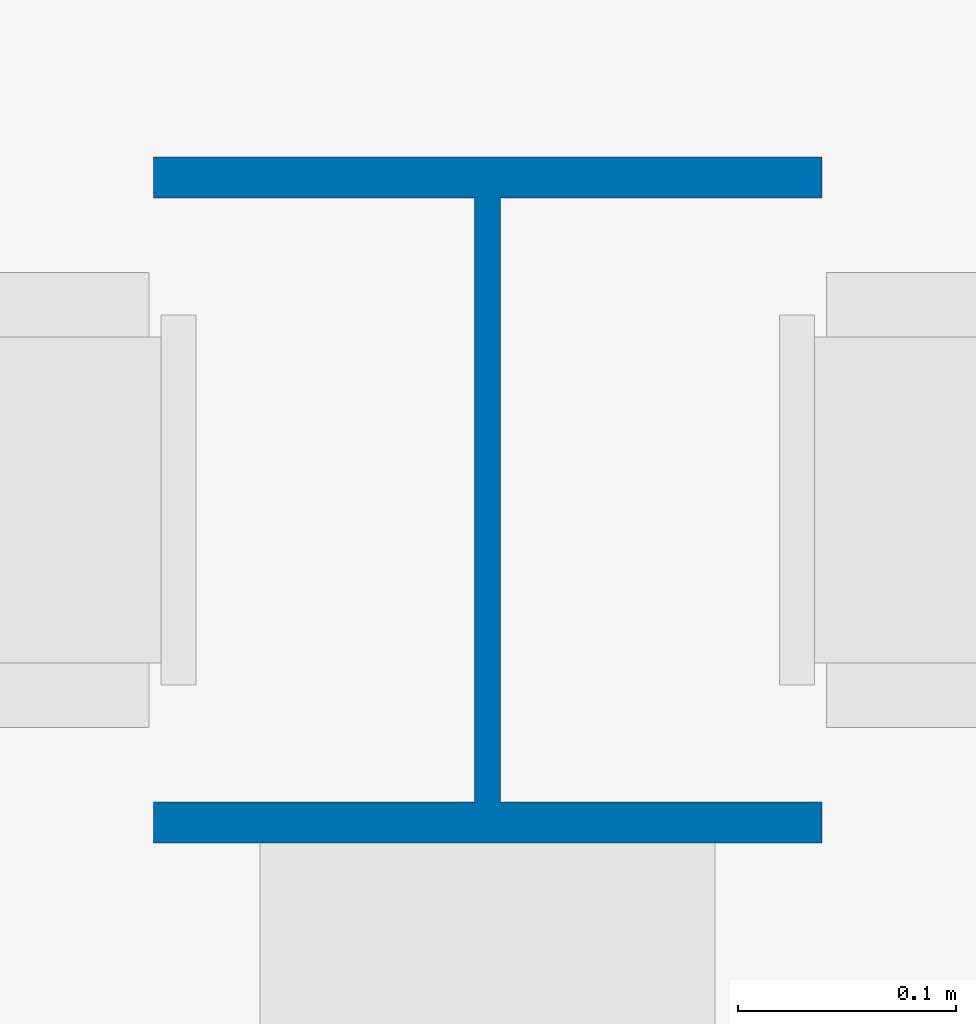
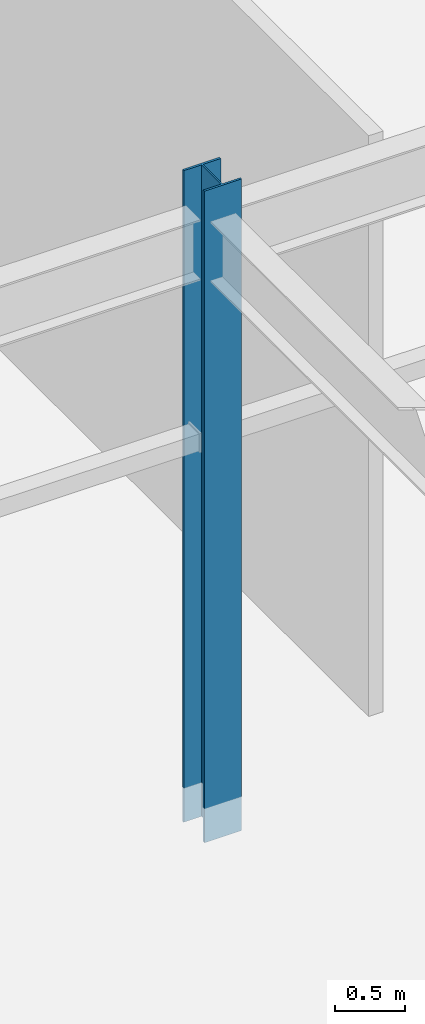
# One storey, part 10 of 188: 1 column.
"""IFC4 building model written with IfcOpenShell, lengths in metres."""

from ifc_helpers import new_model, si_unit, direction, frame, origin, origin_2d, place, context, subcontext, project, spatial, i_section, extrude, material, material_profile, profile_set, type_object, element, save


model = new_model("IFC4")

# Units and contexts
model_context = context("Model", 3, precision=1e-05, world=origin(), true_north=direction((0.0, 1.0)))
body_context = subcontext(model_context, "Body", "Model", "MODEL_VIEW")
ifc_project = project(units=[si_unit("LENGTHUNIT", "METRE"), si_unit("AREAUNIT", "SQUARE_METRE"), si_unit("VOLUMEUNIT", "CUBIC_METRE"), si_unit("PLANEANGLEUNIT", "RADIAN"), si_unit("MASSUNIT", "GRAM", prefix="KILO")], contexts=[model_context])

# Site, building, storey
site_placement = place(None, origin())
site = spatial("IfcSite", under=ifc_project, at=site_placement, CompositionType="ELEMENT")
building_placement = place(site_placement, origin())
building = spatial("IfcBuilding", under=site, at=building_placement, Name="Pandanus Reach Market Hall", CompositionType="ELEMENT")
storey_placement = place(building_placement, origin())
storey = spatial("IfcBuildingStorey", under=building, at=storey_placement, Name="L00", CompositionType="ELEMENT", Elevation=0.0)

# Column
ifc_material = material(Name="Steel Grade 350 (350 MPa)", Category="steel")
ifc_material_profile = material_profile(ifc_material, i_section(OverallWidth=0.306884765625, OverallDepth=0.31494140625, WebThickness=0.011962890625, FlangeThickness=0.018798828125, at=origin_2d()), Name="310UC118", Category="LoadBearing")
ifc_profile_set = profile_set([ifc_material_profile], Name="Steel Grade 350 (350 MPa)")
column_type = type_object("IfcColumnType", Name="CL-UC310-I", PredefinedType="COLUMN", material=ifc_profile_set)
column_placement = place(storey_placement, frame((120.0, 38.39990234375, -0.300048828125), z_axis=(0.0, 0.0, 1.0), x_axis=(1.0, 0.0, 0.0)))
element("IfcColumn", 1, at=column_placement, inside=storey, type_object=column_type, Name="Column CL-UC310-I V1M-120-384 L00", PredefinedType="COLUMN", context=body_context, shape_type="SweptSolid", body=[
    extrude(i_section(OverallWidth=0.306884765625, OverallDepth=0.31494140625, WebThickness=0.011962890625, FlangeThickness=0.018798828125, at=origin_2d()), origin(), (0.0, 0.0, 1.0), 5.699951171875),
])

save(model, "model.ifc")
